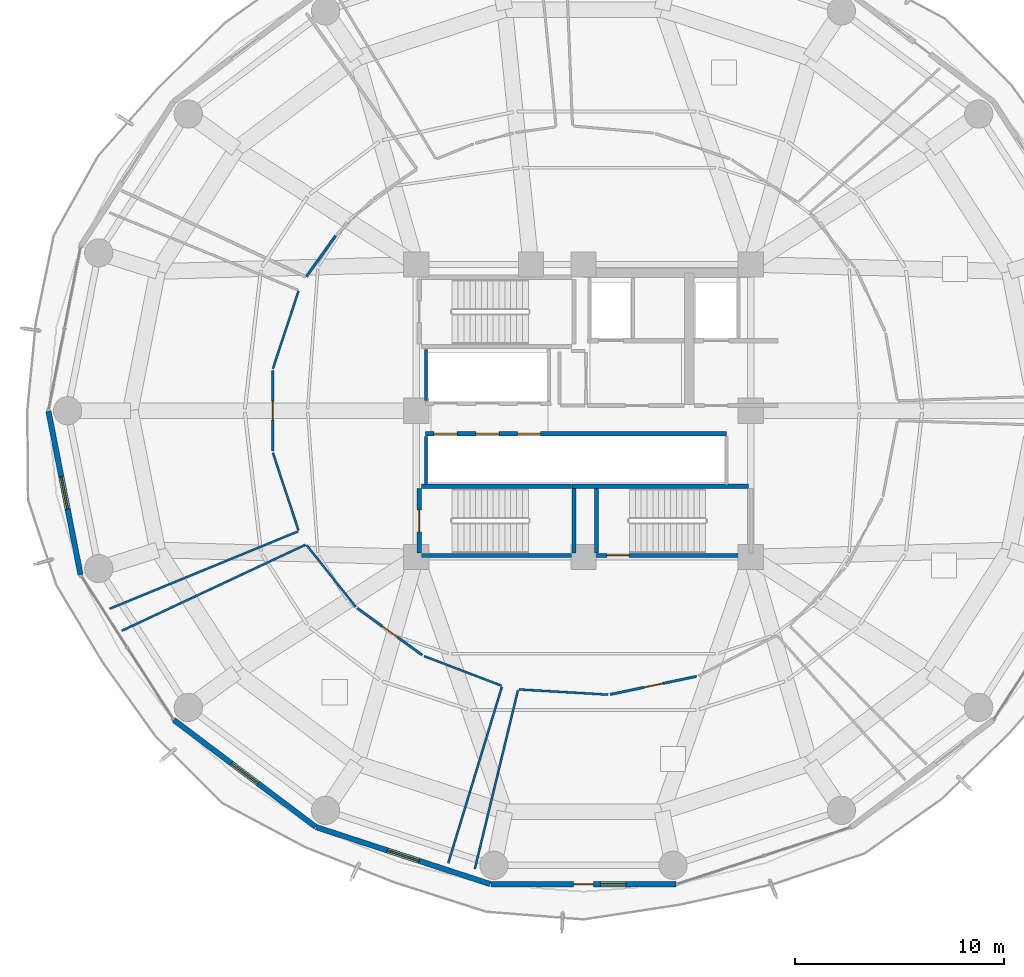
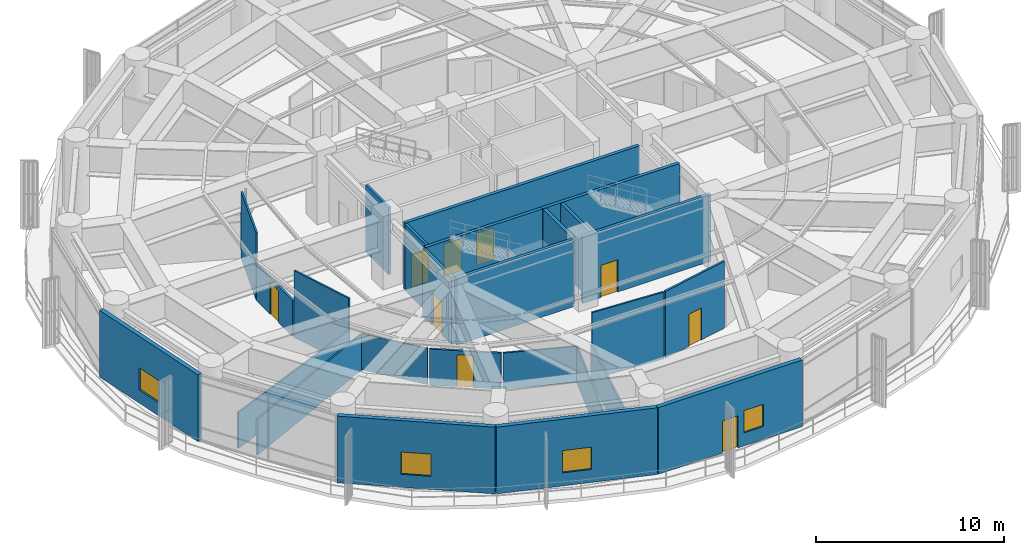
# One storey, part 27 of 34: 27 walls, 9 doors, 4 windows, 13 openings.
"""IFC4 building model written with IfcOpenShell, lengths in metres."""

from ifc_helpers import new_model, si_unit, direction, frame, frame_2d, origin, place, context, subcontext, project, spatial, rectangle, extrude, material, layer, layer_set, type_object, element, fill, save


model = new_model("IFC4")

# Units and contexts
model_context = context("Model", 3, precision=1e-05, world=origin(), true_north=direction((0.0, 1.0)))
body_context = subcontext(model_context, "Body", "Model", "MODEL_VIEW")
ifc_project = project(units=[si_unit("LENGTHUNIT", "METRE"), si_unit("AREAUNIT", "SQUARE_METRE"), si_unit("VOLUMEUNIT", "CUBIC_METRE"), si_unit("PLANEANGLEUNIT", "RADIAN"), si_unit("MASSUNIT", "GRAM", prefix="KILO")], contexts=[model_context])

# Site, building, storey
site_placement = place(None, origin())
site = spatial("IfcSite", under=ifc_project, at=site_placement, CompositionType="ELEMENT")
building_placement = place(site_placement, origin())
building = spatial("IfcBuilding", under=site, at=building_placement, Name="Kelanora Arch Commons", CompositionType="ELEMENT")
storey_placement = place(building_placement, frame((0.0, 0.0, 125.10009765625)))
storey = spatial("IfcBuildingStorey", under=building, at=storey_placement, Name="L32", CompositionType="ELEMENT", Elevation=125.10009765625)

# Walls
ifc_material_1 = material(Name="Autoclaved aerated concrete blockwork with fire plaster", Category="masonry")
ifc_layer_1 = layer(ifc_material_1, 0.14990234375)
ifc_layer_set_1 = layer_set([ifc_layer_1], Name="Autoclaved aerated concrete blockwork with fire plaster")
wall_type_1 = type_object("IfcWallType", Name="W-COMP-150", PredefinedType="PARTITIONING", material=ifc_layer_set_1)
wall_1_placement = place(storey_placement, frame((66.4599609375, 58.47998046875, 0.0), z_axis=(0.0, 0.0, 1.0), x_axis=(0.0, 1.0, 0.0)))
element("IfcWall", 1, at=wall_1_placement, inside=storey, type_object=wall_type_1, Name="Low-Rise Lift Bank West Wall L32", PredefinedType="PARTITIONING", context=body_context, shape_type="SweptSolid", body=[
    extrude(rectangle(XDim=2.4599609375, YDim=0.14990234375, at=frame_2d((1.22998046875, 0.0))), origin(), (0.0, 0.0, 1.0), 4.349853515625),
])
wall_2_placement = place(storey_placement, frame((66.4599609375, 54.47998046875, 0.0), z_axis=(0.0, 0.0, 1.0), x_axis=(0.0, 1.0, 0.0)))
element("IfcWall", 2, at=wall_2_placement, inside=storey, type_object=wall_type_1, Name="South Lift Bank West Wall L32", PredefinedType="PARTITIONING", context=body_context, shape_type="SweptSolid", body=[
    extrude(rectangle(XDim=2.2900390625, YDim=0.14990234375, at=frame_2d((1.14501953125, 0.0))), origin(), (0.0, 0.0, 1.0), 4.349853515625),
])

# Wall, opening, window
ifc_material_2 = material(Name="Precast concrete C40/50 with terracotta rainscreen", Category="masonry")
ifc_layer_2 = layer(ifc_material_2, 0.260009765625)
ifc_layer_set_2 = layer_set([ifc_layer_2], Name="Precast concrete C40/50 with terracotta rainscreen")
wall_type_2 = type_object("IfcWallType", Name="W-EXT-TC", PredefinedType="SOLIDWALL", material=ifc_layer_set_2)
wall_3_placement = place(storey_placement, frame((48.40283203125, 57.9853515625, 0.0), z_axis=(0.0, 0.0, 1.0), x_axis=(0.192581843632, -0.981280914674, 0.0)))
wall_3 = element("IfcWall", 3, at=wall_3_placement, inside=storey, type_object=wall_type_2, Name="Terracotta Exterior Wall L32-B09", PredefinedType="SOLIDWALL", context=body_context, shape_type="SweptSolid", body=[
    extrude(rectangle(XDim=7.986572265625, YDim=0.260009765625, at=frame_2d((3.9931640625, 0.0))), origin(), (0.0, 0.0, 1.0), 4.344970703125),
])
opening_1_placement = place(wall_3_placement, frame((3.193115234375, 0.0, 0.85009765625)))
opening_1 = element("IfcOpeningElement", 4, at=opening_1_placement, cuts=wall_3, Name="Opening WN-01", PredefinedType="OPENING", context=body_context, shape_type="SweptSolid", body=[
    extrude(rectangle(XDim=1.60009765625, YDim=1.449951171875, at=frame_2d((0.800048828125, 0.72509765625))), frame((0.0, 0.14013671875, 0.0), z_axis=(0.0, -1.0, 0.0), x_axis=(1.0, 0.0, 0.0)), (0.0, 0.0, 1.0), 0.280029296875),
])
ifc_material_3 = material(Name="Terracotta-anodised aluminium frame with operable low-E glazing", Category="masonry")
window_type_1 = type_object("IfcWindowType", Name="WIN-CL-18", PartitioningType="DOUBLE_PANEL_VERTICAL", PredefinedType="WINDOW", material=ifc_material_3)
window_1_placement = place(opening_1_placement, origin())
window_1 = element("IfcWindow", 5, at=window_1_placement, inside=storey, type_object=window_type_1, Name="Co-Living Operable Window L32-B09", OverallHeight=1.449951171875, OverallWidth=1.60009765625, PartitioningType="SINGLE_PANEL", PredefinedType="WINDOW", context=body_context, shape_type="SweptSolid", body=[
    extrude(rectangle(XDim=1.60009765625, YDim=1.449951171875, at=frame_2d((0.800048828125, 0.72509765625))), frame((0.0, 0.030029296875, 0.0), z_axis=(0.0, -1.0, 0.0), x_axis=(1.0, 0.0, 0.0)), (0.0, 0.0, 1.0), 0.06005859375),
])
fill(opening_1, window_1)

wall_4_placement = place(storey_placement, frame((54.4013671875, 43.206787109375, 0.0), z_axis=(0.0, 0.0, 1.0), x_axis=(0.798501507879, -0.601992808857, 0.0)))
wall_4 = element("IfcWall", 6, at=wall_4_placement, inside=storey, type_object=wall_type_2, Name="Terracotta Exterior Wall L32-B11", PredefinedType="SOLIDWALL", context=body_context, shape_type="SweptSolid", body=[
    extrude(rectangle(XDim=8.499267578125, YDim=0.260009765625, at=frame_2d((4.24951171875, 0.0))), origin(), (0.0, 0.0, 1.0), 4.344970703125),
])
opening_2_placement = place(wall_4_placement, frame((3.449951171875, 0.0, 0.85009765625)))
opening_2 = element("IfcOpeningElement", 7, at=opening_2_placement, cuts=wall_4, Name="Opening WN-01", PredefinedType="OPENING", context=body_context, shape_type="SweptSolid", body=[
    extrude(rectangle(XDim=1.60009765625, YDim=1.449951171875, at=frame_2d((0.800048828125, 0.72509765625))), frame((0.0, 0.14013671875, 0.0), z_axis=(0.0, -1.0, 0.0), x_axis=(1.0, 0.0, 0.0)), (0.0, 0.0, 1.0), 0.280029296875),
])
window_2_placement = place(opening_2_placement, origin())
window_2 = element("IfcWindow", 8, at=window_2_placement, inside=storey, type_object=window_type_1, Name="Co-Living Operable Window L32-B11", OverallHeight=1.449951171875, OverallWidth=1.60009765625, PartitioningType="SINGLE_PANEL", PredefinedType="WINDOW", context=body_context, shape_type="SweptSolid", body=[
    extrude(rectangle(XDim=1.60009765625, YDim=1.449951171875, at=frame_2d((0.800048828125, 0.72509765625))), frame((0.0, 0.030029296875, 0.0), z_axis=(0.0, -1.0, 0.0), x_axis=(1.0, 0.0, 0.0)), (0.0, 0.0, 1.0), 0.06005859375),
])
fill(opening_2, window_2)

wall_5_placement = place(storey_placement, frame((61.21435546875, 38.07666015625, 0.0), z_axis=(0.0, 0.0, 1.0), x_axis=(0.950471101963, -0.310812941064, 0.0)))
wall_5 = element("IfcWall", 9, at=wall_5_placement, inside=storey, type_object=wall_type_2, Name="Terracotta Exterior Wall L32-B12", PredefinedType="SOLIDWALL", context=body_context, shape_type="SweptSolid", body=[
    extrude(rectangle(XDim=8.759765625, YDim=0.260009765625, at=frame_2d((4.3798828125, 0.0))), origin(), (0.0, 0.0, 1.0), 4.344970703125),
])
opening_3_placement = place(wall_5_placement, frame((3.580078125, 0.0, 0.85009765625)))
opening_3 = element("IfcOpeningElement", 10, at=opening_3_placement, cuts=wall_5, Name="Opening WN-01", PredefinedType="OPENING", context=body_context, shape_type="SweptSolid", body=[
    extrude(rectangle(XDim=1.60009765625, YDim=1.449951171875, at=frame_2d((0.800048828125, 0.72509765625))), frame((0.0, 0.14013671875, 0.0), z_axis=(0.0, -1.0, 0.0), x_axis=(1.0, 0.0, 0.0)), (0.0, 0.0, 1.0), 0.280029296875),
])
window_3_placement = place(opening_3_placement, origin())
window_3 = element("IfcWindow", 11, at=window_3_placement, inside=storey, type_object=window_type_1, Name="Co-Living Operable Window L32-B12", OverallHeight=1.449951171875, OverallWidth=1.60009765625, PartitioningType="SINGLE_PANEL", PredefinedType="WINDOW", context=body_context, shape_type="SweptSolid", body=[
    extrude(rectangle(XDim=1.60009765625, YDim=1.449951171875, at=frame_2d((0.800048828125, 0.72509765625))), frame((0.0, 0.030029296875, 0.0), z_axis=(0.0, -1.0, 0.0), x_axis=(1.0, 0.0, 0.0)), (0.0, 0.0, 1.0), 0.06005859375),
])
fill(opening_3, window_3)

# Wall, openings, door, window
wall_6_placement = place(storey_placement, frame((69.569580078125, 35.349365234375, 0.0), z_axis=(0.0, 0.0, 1.0), x_axis=(1.0, 0.0, 0.0)))
wall_6 = element("IfcWall", 12, at=wall_6_placement, inside=storey, type_object=wall_type_2, Name="Terracotta Exterior Wall L32-B13", PredefinedType="SOLIDWALL", context=body_context, shape_type="SweptSolid", body=[
    extrude(rectangle(XDim=8.86083984375, YDim=0.260009765625, at=frame_2d((4.430419921875, 0.0))), origin(), (0.0, 0.0, 1.0), 4.344970703125),
])
opening_4_placement = place(wall_6_placement, frame((3.955078125, 0.0, 0.0)))
opening_4 = element("IfcOpeningElement", 13, at=opening_4_placement, cuts=wall_6, Name="Opening DB-01", PredefinedType="OPENING", context=body_context, shape_type="SweptSolid", body=[
    extrude(rectangle(XDim=0.949951171875, YDim=2.10009765625, at=frame_2d((0.47509765625, 1.050048828125))), frame((0.0, 0.14013671875, 0.0), z_axis=(0.0, -1.0, 0.0), x_axis=(1.0, 0.0, 0.0)), (0.0, 0.0, 1.0), 0.280029296875),
])
opening_5_placement = place(wall_6_placement, frame((5.2548828125, 0.0, 0.85009765625)))
opening_5 = element("IfcOpeningElement", 14, at=opening_5_placement, cuts=wall_6, Name="Opening WN-02", PredefinedType="OPENING", context=body_context, shape_type="SweptSolid", body=[
    extrude(rectangle(XDim=1.199951171875, YDim=1.449951171875, at=frame_2d((0.60009765625, 0.72509765625))), frame((0.0, 0.14013671875, 0.0), z_axis=(0.0, -1.0, 0.0), x_axis=(1.0, 0.0, 0.0)), (0.0, 0.0, 1.0), 0.280029296875),
])
ifc_material_4 = material(Name="Terracotta-aluminium thermally broken glazed balcony door", Category="masonry")
door_type_1 = type_object("IfcDoorType", Name="D-BAL-10", OperationType="NOTDEFINED", PredefinedType="DOOR", material=ifc_material_4)
door_1_placement = place(opening_4_placement, frame((0.949951171875, 0.0, 0.0), z_axis=(0.0, 0.0, 1.0), x_axis=(-1.0, 0.0, 0.0)))
door_1 = element("IfcDoor", 15, at=door_1_placement, inside=storey, type_object=door_type_1, Name="Wave Balcony Door L32-B13", OperationType="SINGLE_SWING_RIGHT", OverallHeight=2.10009765625, OverallWidth=0.949951171875, PredefinedType="DOOR", context=body_context, shape_type="SweptSolid", body=[
    extrude(rectangle(XDim=0.949951171875, YDim=2.10009765625, at=frame_2d((0.47509765625, 1.050048828125))), frame((0.0, 0.02490234375, 0.0), z_axis=(0.0, -1.0, 0.0), x_axis=(1.0, 0.0, 0.0)), (0.0, 0.0, 1.0), 0.050048828125),
])
fill(opening_4, door_1)
ifc_material_5 = material(Name="Terracotta-anodised aluminium frame with operable awning sash", Category="masonry")
window_type_2 = type_object("IfcWindowType", Name="WIN-CL-12", PartitioningType="SINGLE_PANEL", PredefinedType="WINDOW", material=ifc_material_5)
window_4_placement = place(opening_5_placement, origin())
window_4 = element("IfcWindow", 16, at=window_4_placement, inside=storey, type_object=window_type_2, Name="Co-Living Operable Window L32-B13", OverallHeight=1.449951171875, OverallWidth=1.199951171875, PartitioningType="SINGLE_PANEL", PredefinedType="WINDOW", context=body_context, shape_type="SweptSolid", body=[
    extrude(rectangle(XDim=1.199951171875, YDim=1.449951171875, at=frame_2d((0.60009765625, 0.72509765625))), frame((0.0, 0.030029296875, 0.0), z_axis=(0.0, -1.0, 0.0), x_axis=(1.0, 0.0, 0.0)), (0.0, 0.0, 1.0), 0.06005859375),
])
fill(opening_5, window_4)

# Wall, openings, doors
ifc_material_6 = material(Name="Concrete C40/50", Category="concrete")
ifc_layer_3 = layer(ifc_material_6, 0.199951171875)
ifc_layer_set_3 = layer_set([ifc_layer_3], Name="Concrete C40/50")
wall_type_3 = type_object("IfcWallType", Name="W-FFL-200", PredefinedType="SOLIDWALL", material=ifc_layer_set_3)
wall_7_placement = place(storey_placement, frame((66.449951171875, 56.89990234375, 0.0), z_axis=(0.0, 0.0, 1.0), x_axis=(1.0, 0.0, 0.0)))
wall_7 = element("IfcWall", 17, at=wall_7_placement, inside=storey, type_object=wall_type_3, Name="Mid/High/Express Lift Shaft Front L32", PredefinedType="SOLIDWALL", context=body_context, shape_type="SweptSolid", body=[
    extrude(rectangle(XDim=14.400146484375, YDim=0.199951171875, at=frame_2d((7.2001953125, 0.0))), origin(), (0.0, 0.0, 1.0), 4.349853515625),
])
opening_6_placement = place(wall_7_placement, frame((0.39990234375, 0.0, 0.0)))
opening_6 = element("IfcOpeningElement", 18, at=opening_6_placement, cuts=wall_7, Name="Opening LD-01", PredefinedType="OPENING", context=body_context, shape_type="SweptSolid", body=[
    extrude(rectangle(XDim=1.10009765625, YDim=2.10009765625, at=frame_2d((0.550048828125, 1.050048828125))), frame((0.0, 0.10986328125, 0.0), z_axis=(0.0, -1.0, 0.0), x_axis=(1.0, 0.0, 0.0)), (0.0, 0.0, 1.0), 0.219970703125),
])
opening_7_placement = place(wall_7_placement, frame((2.39990234375, 0.0, 0.0)))
opening_7 = element("IfcOpeningElement", 19, at=opening_7_placement, cuts=wall_7, Name="Opening LD-01", PredefinedType="OPENING", context=body_context, shape_type="SweptSolid", body=[
    extrude(rectangle(XDim=1.10009765625, YDim=2.10009765625, at=frame_2d((0.550048828125, 1.050048828125))), frame((0.0, 0.10986328125, 0.0), z_axis=(0.0, -1.0, 0.0), x_axis=(1.0, 0.0, 0.0)), (0.0, 0.0, 1.0), 0.219970703125),
])
opening_8_placement = place(wall_7_placement, frame((4.39990234375, 0.0, 0.0)))
opening_8 = element("IfcOpeningElement", 20, at=opening_8_placement, cuts=wall_7, Name="Opening LD-01", PredefinedType="OPENING", context=body_context, shape_type="SweptSolid", body=[
    extrude(rectangle(XDim=1.10009765625, YDim=2.10009765625, at=frame_2d((0.550048828125, 1.050048828125))), frame((0.0, 0.10986328125, 0.0), z_axis=(0.0, -1.0, 0.0), x_axis=(1.0, 0.0, 0.0)), (0.0, 0.0, 1.0), 0.219970703125),
])
ifc_material_7 = material(Name="Stainless steel passenger lift sliding landing door", Category="steel")
door_type_2 = type_object("IfcDoorType", Name="D-LIFT-110", OperationType="NOTDEFINED", PredefinedType="DOOR", material=ifc_material_7)
door_2_placement = place(opening_6_placement, origin())
door_2 = element("IfcDoor", 21, at=door_2_placement, inside=storey, type_object=door_type_2, Name="Passenger Lift LF-P4 Landing Door L32", OperationType="DOUBLE_DOOR_SLIDING", OverallHeight=2.10009765625, OverallWidth=1.10009765625, PredefinedType="DOOR", context=body_context, shape_type="SweptSolid", body=[
    extrude(rectangle(XDim=1.10009765625, YDim=2.10009765625, at=frame_2d((0.550048828125, 1.050048828125))), frame((0.0, 0.02490234375, 0.0), z_axis=(0.0, -1.0, 0.0), x_axis=(1.0, 0.0, 0.0)), (0.0, 0.0, 1.0), 0.050048828125),
])
fill(opening_6, door_2)
door_3_placement = place(opening_7_placement, origin())
door_3 = element("IfcDoor", 22, at=door_3_placement, inside=storey, type_object=door_type_2, Name="Passenger Lift LF-P5 Landing Door L32", OperationType="DOUBLE_DOOR_SLIDING", OverallHeight=2.10009765625, OverallWidth=1.10009765625, PredefinedType="DOOR", context=body_context, shape_type="SweptSolid", body=[
    extrude(rectangle(XDim=1.10009765625, YDim=2.10009765625, at=frame_2d((0.550048828125, 1.050048828125))), frame((0.0, 0.02490234375, 0.0), z_axis=(0.0, -1.0, 0.0), x_axis=(1.0, 0.0, 0.0)), (0.0, 0.0, 1.0), 0.050048828125),
])
fill(opening_7, door_3)
door_4_placement = place(opening_8_placement, origin())
door_4 = element("IfcDoor", 23, at=door_4_placement, inside=storey, type_object=door_type_2, Name="Passenger Lift LF-P6 Landing Door L32", OperationType="DOUBLE_DOOR_SLIDING", OverallHeight=2.10009765625, OverallWidth=1.10009765625, PredefinedType="DOOR", context=body_context, shape_type="SweptSolid", body=[
    extrude(rectangle(XDim=1.10009765625, YDim=2.10009765625, at=frame_2d((0.550048828125, 1.050048828125))), frame((0.0, 0.02490234375, 0.0), z_axis=(0.0, -1.0, 0.0), x_axis=(1.0, 0.0, 0.0)), (0.0, 0.0, 1.0), 0.050048828125),
])
fill(opening_8, door_4)

# Walls
ifc_material_8 = material(Name="Lightweight fire-rated acoustic stud partition")
ifc_layer_4 = layer(ifc_material_8, 0.10009765625)
ifc_layer_set_4 = layer_set([ifc_layer_4], Name="Lightweight fire-rated acoustic stud partition")
wall_type_4 = type_object("IfcWallType", Name="W-PART-100", PredefinedType="PARTITIONING", material=ifc_layer_set_4)
for number, where, z_axis, x_axis, name in (
    (24, (60.365478515625, 63.721923828125, 0.0), (0.0, 0.0, 1.0), (-0.313357160862, -0.949635345665, 0.0), "Low-to-Mid Sky Transfer Concourse L32 Enclosure Partition 1"),
    (25, (59.1416015625, 55.987060546875, 0.0), (0.0, 0.0, 1.0), (0.313357160862, -0.949635345665, 0.0), "Low-to-Mid Sky Transfer Concourse L32 Enclosure Partition 3"),
):
    element("IfcWall", number, at=place(storey_placement, frame(where, z_axis=z_axis, x_axis=x_axis)), inside=storey, type_object=wall_type_4, Name=name, PredefinedType="PARTITIONING", context=body_context, shape_type="SweptSolid", body=[
        extrude(rectangle(XDim=3.90576171875, YDim=0.10009765625, at=frame_2d((1.952880859375, 0.0))), origin(), (0.0, 0.0, 1.0), 4.349853515625),
    ])
wall_8_placement = place(storey_placement, frame((60.341064453125, 52.224853515625, 0.0), z_axis=(0.0, 0.0, 1.0), x_axis=(-0.925076928734, -0.379779772927, 0.0)))
element("IfcWall", 26, at=wall_8_placement, inside=storey, type_object=wall_type_4, Name="Low-to-Mid Sky Transfer Concourse L32 Enclosure Partition 4", PredefinedType="PARTITIONING", context=body_context, shape_type="SweptSolid", body=[
    extrude(rectangle(XDim=9.736572265625, YDim=0.10009765625, at=frame_2d((4.8681640625, 0.0))), origin(), (0.0, 0.0, 1.0), 2.344970703125),
])
wall_9_placement = place(storey_placement, frame((60.75390625, 51.569580078125, 0.0), z_axis=(0.0, 0.0, 1.0), x_axis=(0.623035378293, -0.78219365722, 0.0)))
element("IfcWall", 27, at=wall_9_placement, inside=storey, type_object=wall_type_4, Name="Communal Monsoon Tea Lounge L32-A Enclosure Partition 1", PredefinedType="PARTITIONING", context=body_context, shape_type="SweptSolid", body=[
    extrude(rectangle(XDim=3.7705078125, YDim=0.10009765625, at=frame_2d((1.88525390625, 0.0))), origin(), (0.0, 0.0, 1.0), 2.344970703125),
])
wall_10_placement = place(storey_placement, frame((66.371337890625, 46.26171875, 0.0), z_axis=(0.0, 0.0, 1.0), x_axis=(0.934205317769, -0.356735790539, 0.0)))
element("IfcWall", 28, at=wall_10_placement, inside=storey, type_object=wall_type_4, Name="Communal Monsoon Tea Lounge L32-A Enclosure Partition 3", PredefinedType="PARTITIONING", context=body_context, shape_type="SweptSolid", body=[
    extrude(rectangle(XDim=3.9619140625, YDim=0.10009765625, at=frame_2d((1.98095703125, 0.0))), origin(), (0.0, 0.0, 1.0), 2.344970703125),
])
wall_11_placement = place(storey_placement, frame((70.098388671875, 44.795654296875, 0.0), z_axis=(0.0, 0.0, 1.0), x_axis=(-0.291203448286, -0.956661147798, 0.0)))
element("IfcWall", 29, at=wall_11_placement, inside=storey, type_object=wall_type_4, Name="Communal Monsoon Tea Lounge L32-A Enclosure Partition 4", PredefinedType="PARTITIONING", context=body_context, shape_type="SweptSolid", body=[
    extrude(rectangle(XDim=8.824951171875, YDim=0.10009765625, at=frame_2d((4.41259765625, 0.0))), origin(), (0.0, 0.0, 1.0), 2.344970703125),
])
wall_12_placement = place(storey_placement, frame((51.918212890625, 47.47705078125, 0.0), z_axis=(0.0, 0.0, 1.0), x_axis=(0.905704224886, 0.423910199244, 0.0)))
element("IfcWall", 30, at=wall_12_placement, inside=storey, type_object=wall_type_4, Name="Communal Monsoon Tea Lounge L32-A Enclosure Partition 8", PredefinedType="PARTITIONING", context=body_context, shape_type="SweptSolid", body=[
    extrude(rectangle(XDim=9.688232421875, YDim=0.10009765625, at=frame_2d((4.84423828125, 0.0))), origin(), (0.0, 0.0, 1.0), 2.344970703125),
])
wall_13_placement = place(storey_placement, frame((70.914794921875, 44.665771484375, 0.0), z_axis=(0.0, 0.0, 1.0), x_axis=(0.998309049084, -0.058129532229, 0.0)))
element("IfcWall", 31, at=wall_13_placement, inside=storey, type_object=wall_type_4, Name="Communal Student Shared Cluster Kitchen L32-B Enclosure Partition 1", PredefinedType="PARTITIONING", context=body_context, shape_type="SweptSolid", body=[
    extrude(rectangle(XDim=4.275634765625, YDim=0.10009765625, at=frame_2d((2.1376953125, 0.0))), origin(), (0.0, 0.0, 1.0), 4.349853515625),
])
wall_14_placement = place(storey_placement, frame((68.801513671875, 36.079833984375, 0.0), z_axis=(0.0, 0.0, 1.0), x_axis=(0.234676713539, 0.972073474652, 0.0)))
element("IfcWall", 32, at=wall_14_placement, inside=storey, type_object=wall_type_4, Name="Communal Student Shared Cluster Kitchen L32-B Enclosure Partition 8", PredefinedType="PARTITIONING", context=body_context, shape_type="SweptSolid", body=[
    extrude(rectangle(XDim=8.794921875, YDim=0.10009765625, at=frame_2d((4.3974609375, 0.0))), origin(), (0.0, 0.0, 1.0), 2.344970703125),
])

# Wall, opening, door
ifc_material_9 = material(Name="Acoustic twin-stud fire-rated gypsum partition")
ifc_layer_5 = layer(ifc_material_9, 0.1201171875)
ifc_layer_set_5 = layer_set([ifc_layer_5], Name="Acoustic twin-stud fire-rated gypsum partition")
wall_type_5 = type_object("IfcWallType", Name="W-PART-120", PredefinedType="PARTITIONING", material=ifc_layer_set_5)
wall_15_placement = place(storey_placement, frame((59.12890625, 59.9150390625, 0.0), z_axis=(0.0, 0.0, 1.0), x_axis=(0.0, -1.0, 0.0)))
wall_15 = element("IfcWall", 33, at=wall_15_placement, inside=storey, type_object=wall_type_5, Name="Low-to-Mid Sky Transfer Concourse L32 Entry Partition", PredefinedType="PARTITIONING", context=body_context, shape_type="SweptSolid", body=[
    extrude(rectangle(XDim=3.830078125, YDim=0.1201171875, at=frame_2d((1.9150390625, 0.0))), origin(), (0.0, 0.0, 1.0), 2.344970703125),
])
opening_9_placement = place(wall_15_placement, frame((1.465087890625, 0.0, 0.0)))
opening_9 = element("IfcOpeningElement", 34, at=opening_9_placement, cuts=wall_15, Name="Opening D-RM1", PredefinedType="OPENING", context=body_context, shape_type="SweptSolid", body=[
    extrude(rectangle(XDim=0.89990234375, YDim=2.080078125, at=frame_2d((0.449951171875, 1.0400390625))), frame((0.0, 0.070068359375, 0.0), z_axis=(0.0, -1.0, 0.0), x_axis=(1.0, 0.0, 0.0)), (0.0, 0.0, 1.0), 0.14013671875),
])
ifc_material_10 = material(Name="Acoustic fire-rated timber study and lounge door", Category="wood")
door_type_3 = type_object("IfcDoorType", Name="D-ROOM-90", OperationType="NOTDEFINED", PredefinedType="DOOR", material=ifc_material_10)
door_5_placement = place(opening_9_placement, origin())
door_5 = element("IfcDoor", 35, at=door_5_placement, inside=storey, type_object=door_type_3, Name="Low-to-Mid Sky Transfer Concourse L32 Door", OperationType="SINGLE_SWING_LEFT", OverallHeight=2.080078125, OverallWidth=0.89990234375, PredefinedType="DOOR", context=body_context, shape_type="SweptSolid", body=[
    extrude(rectangle(XDim=0.89990234375, YDim=2.080078125, at=frame_2d((0.449951171875, 1.0400390625))), frame((0.0, 0.02490234375, 0.0), z_axis=(0.0, -1.0, 0.0), x_axis=(1.0, 0.0, 0.0)), (0.0, 0.0, 1.0), 0.050048828125),
])
fill(opening_9, door_5)

wall_16_placement = place(storey_placement, frame((63.1767578125, 48.553955078125, 0.0), z_axis=(0.0, 0.0, 1.0), x_axis=(0.81095288651, -0.585111455931, 0.0)))
wall_16 = element("IfcWall", 36, at=wall_16_placement, inside=storey, type_object=wall_type_5, Name="Communal Monsoon Tea Lounge L32-A Entry Partition", PredefinedType="PARTITIONING", context=body_context, shape_type="SweptSolid", body=[
    extrude(rectangle(XDim=3.833251953125, YDim=0.1201171875, at=frame_2d((1.91650390625, 0.0))), origin(), (0.0, 0.0, 1.0), 2.344970703125),
])
opening_10_placement = place(wall_16_placement, frame((1.467041015625, 0.0, 0.0)))
opening_10 = element("IfcOpeningElement", 37, at=opening_10_placement, cuts=wall_16, Name="Opening D-RM1", PredefinedType="OPENING", context=body_context, shape_type="SweptSolid", body=[
    extrude(rectangle(XDim=0.89990234375, YDim=2.080078125, at=frame_2d((0.449951171875, 1.0400390625))), frame((0.0, 0.070068359375, 0.0), z_axis=(0.0, -1.0, 0.0), x_axis=(1.0, 0.0, 0.0)), (0.0, 0.0, 1.0), 0.14013671875),
])
door_6_placement = place(opening_10_placement, origin())
door_6 = element("IfcDoor", 38, at=door_6_placement, inside=storey, type_object=door_type_3, Name="Communal Monsoon Tea Lounge L32-A Door", OperationType="SINGLE_SWING_RIGHT", OverallHeight=2.080078125, OverallWidth=0.89990234375, PredefinedType="DOOR", context=body_context, shape_type="SweptSolid", body=[
    extrude(rectangle(XDim=0.89990234375, YDim=2.080078125, at=frame_2d((0.449951171875, 1.0400390625))), frame((0.0, 0.02490234375, 0.0), z_axis=(0.0, -1.0, 0.0), x_axis=(1.0, 0.0, 0.0)), (0.0, 0.0, 1.0), 0.050048828125),
])
fill(opening_10, door_6)

wall_17_placement = place(storey_placement, frame((75.28173828125, 44.42724609375, 0.0), z_axis=(0.0, 0.0, 1.0), x_axis=(0.978761188048, 0.205003748189, 0.0)))
wall_17 = element("IfcWall", 39, at=wall_17_placement, inside=storey, type_object=wall_type_5, Name="Communal Student Shared Cluster Kitchen L32-B Entry Partition", PredefinedType="PARTITIONING", context=body_context, shape_type="SweptSolid", body=[
    extrude(rectangle(XDim=4.217041015625, YDim=0.1201171875, at=frame_2d((2.1083984375, 0.0))), origin(), (0.0, 0.0, 1.0), 4.349853515625),
])
opening_11_placement = place(wall_17_placement, frame((1.658935546875, 0.0, 0.0)))
opening_11 = element("IfcOpeningElement", 40, at=opening_11_placement, cuts=wall_17, Name="Opening D-RM1", PredefinedType="OPENING", context=body_context, shape_type="SweptSolid", body=[
    extrude(rectangle(XDim=0.89990234375, YDim=2.080078125, at=frame_2d((0.449951171875, 1.0400390625))), frame((0.0, 0.070068359375, 0.0), z_axis=(0.0, -1.0, 0.0), x_axis=(1.0, 0.0, 0.0)), (0.0, 0.0, 1.0), 0.14013671875),
])
door_7_placement = place(opening_11_placement, origin())
door_7 = element("IfcDoor", 41, at=door_7_placement, inside=storey, type_object=door_type_3, Name="Communal Student Shared Cluster Kitchen L32-B Door", OperationType="SINGLE_SWING_LEFT", OverallHeight=2.080078125, OverallWidth=0.89990234375, PredefinedType="DOOR", context=body_context, shape_type="SweptSolid", body=[
    extrude(rectangle(XDim=0.89990234375, YDim=2.080078125, at=frame_2d((0.449951171875, 1.0400390625))), frame((0.0, 0.02490234375, 0.0), z_axis=(0.0, -1.0, 0.0), x_axis=(1.0, 0.0, 0.0)), (0.0, 0.0, 1.0), 0.050048828125),
])
fill(opening_11, door_7)

ifc_layer_6 = layer(ifc_material_6, 0.199951171875)
ifc_layer_set_6 = layer_set([ifc_layer_6], Name="Concrete C40/50")
wall_type_6 = type_object("IfcWallType", Name="W-STAIR-200", PredefinedType="SHEAR", material=ifc_layer_set_6)
wall_18_placement = place(storey_placement, frame((74.0, 51.080078125, 0.0), z_axis=(0.0, 0.0, 1.0), x_axis=(1.0, 0.0, 0.0)))
wall_18 = element("IfcWall", 42, at=wall_18_placement, inside=storey, type_object=wall_type_6, Name="Stair ST-T2 Shaft Wall S L32", PredefinedType="SHEAR", context=body_context, shape_type="SweptSolid", body=[
    extrude(rectangle(XDim=7.89990234375, YDim=0.199951171875, at=frame_2d((3.949951171875, 0.0))), origin(), (0.0, 0.0, 1.0), 4.35986328125),
])
opening_12_placement = place(wall_18_placement, frame((1.1201171875, 0.0, 0.0)))
opening_12 = element("IfcOpeningElement", 43, at=opening_12_placement, cuts=wall_18, Name="Opening D-ST1", PredefinedType="OPENING", context=body_context, shape_type="SweptSolid", body=[
    extrude(rectangle(XDim=1.050048828125, YDim=2.10009765625, at=frame_2d((0.52490234375, 1.050048828125))), frame((0.0, 0.10986328125, 0.0), z_axis=(0.0, -1.0, 0.0), x_axis=(1.0, 0.0, 0.0)), (0.0, 0.0, 1.0), 0.219970703125),
])
ifc_material_11 = material(Name="Steel fire-rated stairwell escape door", Category="steel")
door_type_4 = type_object("IfcDoorType", Name="D-STAIR-110", OperationType="NOTDEFINED", PredefinedType="DOOR", material=ifc_material_11)
door_8_placement = place(opening_12_placement, origin())
door_8 = element("IfcDoor", 44, at=door_8_placement, inside=storey, type_object=door_type_4, Name="Stair ST-T2 Escape Door L32", OperationType="SINGLE_SWING_LEFT", OverallHeight=2.10009765625, OverallWidth=1.050048828125, PredefinedType="DOOR", context=body_context, shape_type="SweptSolid", body=[
    extrude(rectangle(XDim=1.050048828125, YDim=2.10009765625, at=frame_2d((0.52490234375, 1.050048828125))), frame((0.0, 0.02490234375, 0.0), z_axis=(0.0, -1.0, 0.0), x_axis=(1.0, 0.0, 0.0)), (0.0, 0.0, 1.0), 0.050048828125),
])
fill(opening_12, door_8)

# Walls
wall_19_placement = place(storey_placement, frame((81.89990234375, 54.389892578125, 0.0), z_axis=(0.0, 0.0, 1.0), x_axis=(-1.0, 0.0, 0.0)))
element("IfcWall", 45, at=wall_19_placement, inside=storey, type_object=wall_type_6, Name="Stair ST-T2 Shaft Wall N L32", PredefinedType="SHEAR", context=body_context, shape_type="SweptSolid", body=[
    extrude(rectangle(XDim=8.4599609375, YDim=0.199951171875, at=frame_2d((4.22998046875, 0.0))), origin(), (0.0, 0.0, 1.0), 4.35986328125),
])
wall_20_placement = place(storey_placement, frame((74.6201171875, 54.27001953125, 0.0), z_axis=(0.0, 0.0, 1.0), x_axis=(0.0, -1.0, 0.0)))
element("IfcWall", 46, at=wall_20_placement, inside=storey, type_object=wall_type_6, Name="Stair ST-T2 Shaft Wall W L32", PredefinedType="SHEAR", context=body_context, shape_type="SweptSolid", body=[
    extrude(rectangle(XDim=3.070068359375, YDim=0.199951171875, at=frame_2d((1.53515625, 0.0))), origin(), (0.0, 0.0, 1.0), 4.35986328125),
])
wall_21_placement = place(storey_placement, frame((66.260009765625, 51.080078125, 0.0), z_axis=(0.0, 0.0, 1.0), x_axis=(1.0, 0.0, 0.0)))
element("IfcWall", 47, at=wall_21_placement, inside=storey, type_object=wall_type_6, Name="Stair ST-T3 Shaft Wall S L32", PredefinedType="SHEAR", context=body_context, shape_type="SweptSolid", body=[
    extrude(rectangle(XDim=7.159912109375, YDim=0.199951171875, at=frame_2d((3.580078125, 0.0))), origin(), (0.0, 0.0, 1.0), 4.35986328125),
])
wall_22_placement = place(storey_placement, frame((73.5400390625, 51.199951171875, 0.0), z_axis=(0.0, 0.0, 1.0), x_axis=(0.0, 1.0, 0.0)))
element("IfcWall", 48, at=wall_22_placement, inside=storey, type_object=wall_type_6, Name="Stair ST-T3 Shaft Wall E L32", PredefinedType="SHEAR", context=body_context, shape_type="SweptSolid", body=[
    extrude(rectangle(XDim=3.070068359375, YDim=0.199951171875, at=frame_2d((1.53515625, 0.0))), origin(), (0.0, 0.0, 1.0), 4.35986328125),
])
wall_23_placement = place(storey_placement, frame((73.419921875, 54.389892578125, 0.0), z_axis=(0.0, 0.0, 1.0), x_axis=(-1.0, 0.0, 0.0)))
element("IfcWall", 49, at=wall_23_placement, inside=storey, type_object=wall_type_6, Name="Stair ST-T3 Shaft Wall N L32", PredefinedType="SHEAR", context=body_context, shape_type="SweptSolid", body=[
    extrude(rectangle(XDim=7.159912109375, YDim=0.199951171875, at=frame_2d((3.580078125, 0.0))), origin(), (0.0, 0.0, 1.0), 4.35986328125),
])

# Wall, opening, door
wall_24_placement = place(storey_placement, frame((66.139892578125, 54.27001953125, 0.0), z_axis=(0.0, 0.0, 1.0), x_axis=(0.0, -1.0, 0.0)))
wall_24 = element("IfcWall", 50, at=wall_24_placement, inside=storey, type_object=wall_type_6, Name="Stair ST-T3 Shaft Wall W L32", PredefinedType="SHEAR", context=body_context, shape_type="SweptSolid", body=[
    extrude(rectangle(XDim=3.070068359375, YDim=0.199951171875, at=frame_2d((1.53515625, 0.0))), origin(), (0.0, 0.0, 1.0), 4.35986328125),
])
opening_13_placement = place(wall_24_placement, frame((1.010009765625, 0.0, 0.0)))
opening_13 = element("IfcOpeningElement", 51, at=opening_13_placement, cuts=wall_24, Name="Opening D-ST1", PredefinedType="OPENING", context=body_context, shape_type="SweptSolid", body=[
    extrude(rectangle(XDim=1.050048828125, YDim=2.10009765625, at=frame_2d((0.52490234375, 1.050048828125))), frame((0.0, 0.10986328125, 0.0), z_axis=(0.0, -1.0, 0.0), x_axis=(1.0, 0.0, 0.0)), (0.0, 0.0, 1.0), 0.219970703125),
])
door_9_placement = place(opening_13_placement, origin())
door_9 = element("IfcDoor", 52, at=door_9_placement, inside=storey, type_object=door_type_4, Name="Stair ST-T3 Escape Door L32", OperationType="SINGLE_SWING_LEFT", OverallHeight=2.10009765625, OverallWidth=1.050048828125, PredefinedType="DOOR", context=body_context, shape_type="SweptSolid", body=[
    extrude(rectangle(XDim=1.050048828125, YDim=2.10009765625, at=frame_2d((0.52490234375, 1.050048828125))), frame((0.0, 0.02490234375, 0.0), z_axis=(0.0, -1.0, 0.0), x_axis=(1.0, 0.0, 0.0)), (0.0, 0.0, 1.0), 0.050048828125),
])
fill(opening_13, door_9)

# Wall
ifc_material_12 = material(Name="Moisture-resistant fire-rated cement-board plumbing wall")
ifc_layer_7 = layer(ifc_material_12, 0.1298828125)
ifc_layer_set_7 = layer_set([ifc_layer_7], Name="Moisture-resistant fire-rated cement-board plumbing wall")
wall_type_7 = type_object("IfcWallType", Name="W-WET-120", PredefinedType="PLUMBINGWALL", material=ifc_layer_set_7)
wall_25_placement = place(storey_placement, frame((62.144287109375, 66.374755859375, 0.0), z_axis=(0.0, 0.0, 1.0), x_axis=(-0.582387332388, -0.81291143126, 0.0)))
element("IfcWall", 53, at=wall_25_placement, inside=storey, type_object=wall_type_7, Name="Sky Lobby Accessible Toilets L32 Enclosure Partition 3", PredefinedType="PLUMBINGWALL", context=body_context, shape_type="SweptSolid", body=[
    extrude(rectangle(XDim=2.410400390625, YDim=0.1298828125, at=frame_2d((1.205078125, 0.0))), origin(), (0.0, 0.0, 1.0), 2.344970703125),
])

save(model, "model.ifc")
